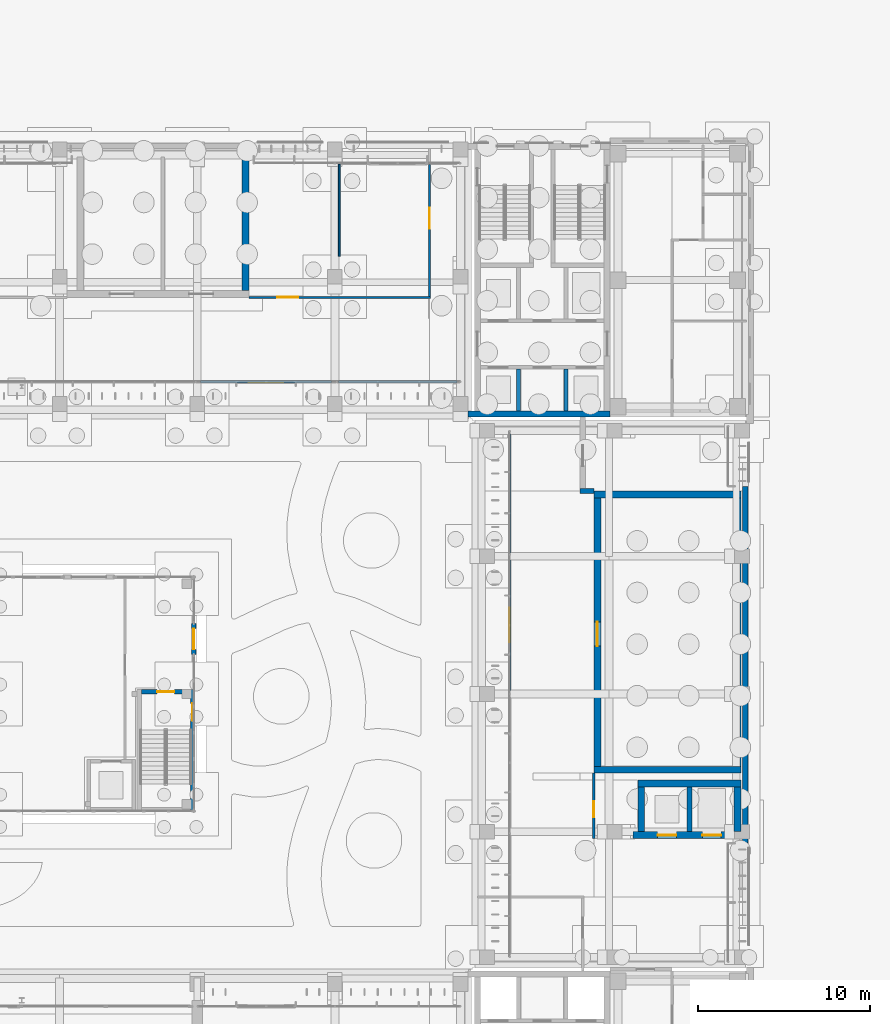
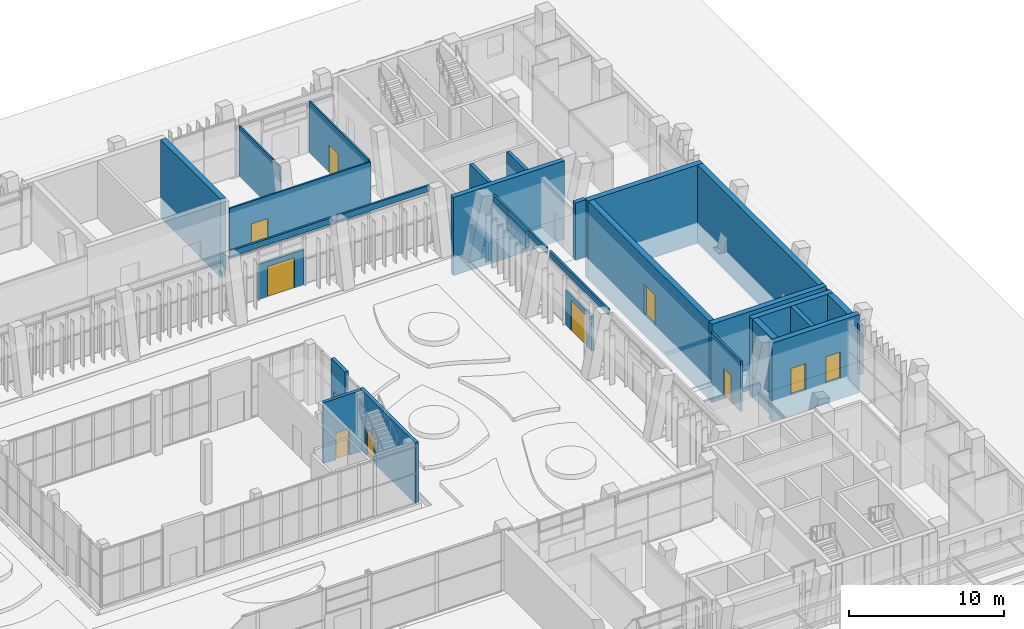
# One storey, part 112 of 144: 30 walls, 11 doors, 11 openings.
"""IFC4 building model written with IfcOpenShell, lengths in metres."""

from ifc_helpers import new_model, si_unit, direction, frame, frame_2d, origin, place, context, subcontext, project, spatial, rectangle, extrude, material, layer, layer_set, type_object, element, fill, save


model = new_model("IFC4")

# Units and contexts
model_context = context("Model", 3, precision=1e-05, world=origin(), true_north=direction((0.0, 1.0)))
body_context = subcontext(model_context, "Body", "Model", "MODEL_VIEW")
ifc_project = project(units=[si_unit("LENGTHUNIT", "METRE"), si_unit("AREAUNIT", "SQUARE_METRE"), si_unit("VOLUMEUNIT", "CUBIC_METRE"), si_unit("PLANEANGLEUNIT", "RADIAN"), si_unit("MASSUNIT", "GRAM", prefix="KILO")], contexts=[model_context])

# Site, building, storey
site_placement = place(None, origin())
site = spatial("IfcSite", under=ifc_project, at=site_placement, CompositionType="ELEMENT")
building_placement = place(site_placement, origin())
building = spatial("IfcBuilding", under=site, at=building_placement, Name="Lantern Court Media Centre", CompositionType="ELEMENT")
storey_placement = place(building_placement, origin())
storey = spatial("IfcBuildingStorey", under=building, at=storey_placement, Name="L00", CompositionType="ELEMENT", Elevation=0.0)

# Wall, opening, door
ifc_material_1 = material(Name="Gypsum board partition")
ifc_layer_1 = layer(ifc_material_1, 0.125)
ifc_layer_set_1 = layer_set([ifc_layer_1], Name="Gypsum board partition")
wall_type_1 = type_object("IfcWallType", Name="Corridor partition 125", PredefinedType="PARTITIONING", material=ifc_layer_set_1)
wall_1_placement = place(storey_placement, frame((77.5, 103.112548828125, 0.0), z_axis=(0.0, 0.0, 1.0), x_axis=(0.0, 1.0, 0.0)))
wall_1 = element("IfcWall", 1, at=wall_1_placement, inside=storey, type_object=wall_type_1, Name="L00 partition 007", PredefinedType="PARTITIONING", context=body_context, shape_type="SweptSolid", body=[
    extrude(rectangle(XDim=7.657470703125, YDim=0.125, at=frame_2d((3.82861328125, 0.0))), origin(), (0.0, 0.0, 1.0), 4.080078125),
])
opening_1_placement = place(wall_1_placement, frame((3.9375, 0.0, 0.0)))
opening_1 = element("IfcOpeningElement", 2, at=opening_1_placement, cuts=wall_1, Name="Opening L00-009", PredefinedType="OPENING", context=body_context, shape_type="SweptSolid", body=[
    extrude(rectangle(XDim=1.199951171875, YDim=2.199951171875, at=frame_2d((0.60009765625, 1.10009765625))), frame((0.0, 0.072509765625, 0.0), z_axis=(0.0, -1.0, 0.0), x_axis=(1.0, 0.0, 0.0)), (0.0, 0.0, 1.0), 0.14501953125),
])
ifc_material_2 = material(Name="Solid-core timber door leaf", Category="wood")
door_type_1 = type_object("IfcDoorType", Name="Single door 1200x2200", OperationType="NOTDEFINED", PredefinedType="DOOR", material=ifc_material_2)
door_1_placement = place(opening_1_placement, origin())
door_1 = element("IfcDoor", 3, at=door_1_placement, inside=storey, type_object=door_type_1, Name="L00 Media Training Room 02 door", OperationType="SINGLE_SWING_RIGHT", OverallHeight=2.199951171875, OverallWidth=1.199951171875, PredefinedType="DOOR", context=body_context, shape_type="SweptSolid", body=[
    extrude(rectangle(XDim=1.199951171875, YDim=2.199951171875, at=frame_2d((0.60009765625, 1.10009765625))), frame((0.0, 0.02490234375, 0.0), z_axis=(0.0, -1.0, 0.0), x_axis=(1.0, 0.0, 0.0)), (0.0, 0.0, 1.0), 0.050048828125),
])
fill(opening_1, door_1)

wall_2_placement = place(storey_placement, frame((67.0048828125, 103.050048828125, 0.0), z_axis=(0.0, 0.0, 1.0), x_axis=(1.0, 0.0, 0.0)))
wall_2 = element("IfcWall", 4, at=wall_2_placement, inside=storey, type_object=wall_type_1, Name="L00 partition 011", PredefinedType="PARTITIONING", context=body_context, shape_type="SweptSolid", body=[
    extrude(rectangle(XDim=10.5576171875, YDim=0.125, at=frame_2d((5.27880859375, 0.0))), origin(), (0.0, 0.0, 1.0), 3.97998046875),
])
opening_2_placement = place(wall_2_placement, frame((1.651611328125, 0.0, 0.0)))
opening_2 = element("IfcOpeningElement", 5, at=opening_2_placement, cuts=wall_2, Name="Opening L00-008", PredefinedType="OPENING", context=body_context, shape_type="SweptSolid", body=[
    extrude(rectangle(XDim=1.199951171875, YDim=2.199951171875, at=frame_2d((0.60009765625, 1.10009765625))), frame((0.0, 0.072509765625, 0.0), z_axis=(0.0, -1.0, 0.0), x_axis=(1.0, 0.0, 0.0)), (0.0, 0.0, 1.0), 0.14501953125),
])
door_2_placement = place(opening_2_placement, origin())
door_2 = element("IfcDoor", 6, at=door_2_placement, inside=storey, type_object=door_type_1, Name="L00 Media Training Room 01 door", OperationType="SINGLE_SWING_LEFT", OverallHeight=2.199951171875, OverallWidth=1.199951171875, PredefinedType="DOOR", context=body_context, shape_type="SweptSolid", body=[
    extrude(rectangle(XDim=1.199951171875, YDim=2.199951171875, at=frame_2d((0.60009765625, 1.10009765625))), frame((0.0, 0.02490234375, 0.0), z_axis=(0.0, -1.0, 0.0), x_axis=(1.0, 0.0, 0.0)), (0.0, 0.0, 1.0), 0.050048828125),
])
fill(opening_2, door_2)

ifc_material_3 = material(Name="Insulated rendered blockwork", Category="masonry")
ifc_layer_2 = layer(ifc_material_3, 0.179931640625)
ifc_layer_set_2 = layer_set([ifc_layer_2], Name="Insulated rendered blockwork")
wall_type_2 = type_object("IfcWallType", Name="Entrance bay infill wall 180", PredefinedType="SOLIDWALL", material=ifc_layer_set_2)
wall_3_placement = place(storey_placement, frame((66.300048828125, 98.14990234375, 0.0), z_axis=(0.0, 0.0, 1.0), x_axis=(1.0, 0.0, 0.0)))
wall_3 = element("IfcWall", 7, at=wall_3_placement, inside=storey, type_object=wall_type_2, Name="Entrance bay wall N inner L00", PredefinedType="SOLIDWALL", context=body_context, shape_type="SweptSolid", body=[
    extrude(rectangle(XDim=3.39990234375, YDim=0.179931640625, at=frame_2d((1.699951171875, 0.0))), origin(), (0.0, 0.0, 1.0), 2.800048828125),
])
opening_3_placement = place(wall_3_placement, frame((0.699951171875, 0.0, 0.0)))
opening_3 = element("IfcOpeningElement", 8, at=opening_3_placement, cuts=wall_3, Name="Opening XD12", PredefinedType="OPENING", context=body_context, shape_type="SweptSolid", body=[
    extrude(rectangle(XDim=2.0, YDim=2.39990234375, at=frame_2d((1.0, 1.199951171875))), frame((0.0, 0.099853515625, 0.0), z_axis=(0.0, -1.0, 0.0), x_axis=(1.0, 0.0, 0.0)), (0.0, 0.0, 1.0), 0.199951171875),
])
ifc_material_4 = material(Name="Anodised aluminium and glass", Category="aluminium")
door_type_2 = type_object("IfcDoorType", Name="Entrance double door 2000x2400", OperationType="DOUBLE_DOOR_SINGLE_SWING", PredefinedType="DOOR", material=ifc_material_4)
door_3_placement = place(opening_3_placement, origin())
door_3 = element("IfcDoor", 9, at=door_3_placement, inside=storey, type_object=door_type_2, Name="Entrance door XD12", OperationType="SINGLE_SWING_LEFT", OverallHeight=2.39990234375, OverallWidth=2.0, PredefinedType="DOOR", context=body_context, shape_type="SweptSolid", body=[
    extrude(rectangle(XDim=2.0, YDim=2.39990234375, at=frame_2d((1.0, 1.199951171875))), frame((0.0, 0.02490234375, 0.0), z_axis=(0.0, -1.0, 0.0), x_axis=(1.0, 0.0, 0.0)), (0.0, 0.0, 1.0), 0.050048828125),
])
fill(opening_3, door_3)

wall_4_placement = place(storey_placement, frame((82.14990234375, 82.300048828125, 0.0), z_axis=(0.0, 0.0, 1.0), x_axis=(0.0, 1.0, 0.0)))
wall_4 = element("IfcWall", 10, at=wall_4_placement, inside=storey, type_object=wall_type_2, Name="Entrance bay wall E inner L00", PredefinedType="SOLIDWALL", context=body_context, shape_type="SweptSolid", body=[
    extrude(rectangle(XDim=3.39990234375, YDim=0.179931640625, at=frame_2d((1.699951171875, 0.0))), origin(), (0.0, 0.0, 1.0), 2.800048828125),
])
opening_4_placement = place(wall_4_placement, frame((0.699951171875, 0.0, 0.0)))
opening_4 = element("IfcOpeningElement", 11, at=opening_4_placement, cuts=wall_4, Name="Opening XD16", PredefinedType="OPENING", context=body_context, shape_type="SweptSolid", body=[
    extrude(rectangle(XDim=2.0, YDim=2.39990234375, at=frame_2d((1.0, 1.199951171875))), frame((0.0, 0.099853515625, 0.0), z_axis=(0.0, -1.0, 0.0), x_axis=(1.0, 0.0, 0.0)), (0.0, 0.0, 1.0), 0.199951171875),
])
door_4_placement = place(opening_4_placement, origin())
door_4 = element("IfcDoor", 12, at=door_4_placement, inside=storey, type_object=door_type_2, Name="Entrance door XD16", OperationType="SINGLE_SWING_LEFT", OverallHeight=2.39990234375, OverallWidth=2.0, PredefinedType="DOOR", context=body_context, shape_type="SweptSolid", body=[
    extrude(rectangle(XDim=2.0, YDim=2.39990234375, at=frame_2d((1.0, 1.199951171875))), frame((0.0, 0.02490234375, 0.0), z_axis=(0.0, -1.0, 0.0), x_axis=(1.0, 0.0, 0.0)), (0.0, 0.0, 1.0), 0.050048828125),
])
fill(opening_4, door_4)

# Walls
ifc_layer_3 = layer(ifc_material_3, 0.14990234375)
ifc_layer_set_3 = layer_set([ifc_layer_3], Name="Insulated rendered blockwork")
wall_type_3 = type_object("IfcWallType", Name="Head infill wall 150", PredefinedType="SOLIDWALL", material=ifc_layer_set_3)
wall_5_placement = place(storey_placement, frame((64.199951171875, 98.14990234375, 4.10009765625), z_axis=(0.0, 0.0, 1.0), x_axis=(1.0, 0.0, 0.0)))
element("IfcWall", 13, at=wall_5_placement, inside=storey, type_object=wall_type_3, Name="Head infill wall N inner L00", PredefinedType="SOLIDWALL", context=body_context, shape_type="SweptSolid", body=[
    extrude(rectangle(XDim=7.60009765625, YDim=0.14990234375, at=frame_2d((3.800048828125, 0.0))), origin(), (0.0, 0.0, 1.0), 0.47998046875),
])
wall_6_placement = place(storey_placement, frame((72.199951171875, 98.14990234375, 4.10009765625), z_axis=(0.0, 0.0, 1.0), x_axis=(1.0, 0.0, 0.0)))
element("IfcWall", 14, at=wall_6_placement, inside=storey, type_object=wall_type_3, Name="Head infill wall N inner L00", PredefinedType="SOLIDWALL", context=body_context, shape_type="SweptSolid", body=[
    extrude(rectangle(XDim=6.900146484375, YDim=0.14990234375, at=frame_2d((3.4501953125, 0.0))), origin(), (0.0, 0.0, 1.0), 0.47998046875),
])
wall_7_placement = place(storey_placement, frame((82.14990234375, 80.199951171875, 4.10009765625), z_axis=(0.0, 0.0, 1.0), x_axis=(0.0, 1.0, 0.0)))
element("IfcWall", 15, at=wall_7_placement, inside=storey, type_object=wall_type_3, Name="Head infill wall E inner L00", PredefinedType="SOLIDWALL", context=body_context, shape_type="SweptSolid", body=[
    extrude(rectangle(XDim=7.60009765625, YDim=0.14990234375, at=frame_2d((3.800048828125, 0.0))), origin(), (0.0, 0.0, 1.0), 0.47998046875),
])
wall_8_placement = place(storey_placement, frame((82.14990234375, 88.199951171875, 4.10009765625), z_axis=(0.0, 0.0, 1.0), x_axis=(0.0, 1.0, 0.0)))
element("IfcWall", 16, at=wall_8_placement, inside=storey, type_object=wall_type_3, Name="Head infill wall E inner L00", PredefinedType="SOLIDWALL", context=body_context, shape_type="SweptSolid", body=[
    extrude(rectangle(XDim=6.900146484375, YDim=0.14990234375, at=frame_2d((3.4501953125, 0.0))), origin(), (0.0, 0.0, 1.0), 0.47998046875),
])
ifc_material_5 = material(Name="Honed limestone cladding on blockwork", Category="masonry")
ifc_layer_4 = layer(ifc_material_5, 0.300048828125)
ifc_layer_set_4 = layer_set([ifc_layer_4], Name="Honed limestone cladding on blockwork")
wall_type_4 = type_object("IfcWallType", Name="Limestone flank wall 300", PredefinedType="SOLIDWALL", material=ifc_layer_set_4)
wall_9_placement = place(storey_placement, frame((95.85009765625, 71.35009765625, 0.0), z_axis=(0.0, 0.0, 1.0), x_axis=(0.0, 1.0, 0.0)))
element("IfcWall", 17, at=wall_9_placement, inside=storey, type_object=wall_type_4, Name="Limestone flank wall E outer L00", PredefinedType="SOLIDWALL", context=body_context, shape_type="SweptSolid", body=[
    extrude(rectangle(XDim=20.699951171875, YDim=0.300048828125, at=frame_2d((10.35009765625, 0.0))), origin(), (0.0, 0.0, 1.0), 3.89990234375),
])
ifc_layer_5 = layer(ifc_material_1, 0.10009765625)
ifc_layer_set_5 = layer_set([ifc_layer_5], Name="Gypsum board partition")
wall_type_5 = type_object("IfcWallType", Name="Partition 100", PredefinedType="PARTITIONING", material=ifc_layer_set_5)
wall_10_placement = place(storey_placement, frame((72.25, 105.429931640625, 0.0), z_axis=(0.0, 0.0, 1.0), x_axis=(0.0, 1.0, 0.0)))
element("IfcWall", 18, at=wall_10_placement, inside=storey, type_object=wall_type_5, Name="L00 partition 012", PredefinedType="PARTITIONING", context=body_context, shape_type="SweptSolid", body=[
    extrude(rectangle(XDim=5.344970703125, YDim=0.10009765625, at=frame_2d((2.67236328125, 0.0))), origin(), (0.0, 0.0, 1.0), 3.97998046875),
])

# Wall, opening, door
ifc_material_6 = material(Name="Concrete blockwork C20", Category="masonry")
ifc_layer_6 = layer(ifc_material_6, 0.14990234375)
ifc_layer_set_6 = layer_set([ifc_layer_6], Name="Concrete blockwork C20")
wall_type_6 = type_object("IfcWallType", Name="Partition 150 masonry", PredefinedType="PARTITIONING", material=ifc_layer_set_6)
wall_11_placement = place(storey_placement, frame((87.050048828125, 71.60009765625, 0.0), z_axis=(0.0, 0.0, 1.0), x_axis=(0.0, 1.0, 0.0)))
wall_11 = element("IfcWall", 19, at=wall_11_placement, inside=storey, type_object=wall_type_6, Name="L00 partition 026", PredefinedType="PARTITIONING", context=body_context, shape_type="SweptSolid", body=[
    extrude(rectangle(XDim=3.7998046875, YDim=0.14990234375, at=frame_2d((1.89990234375, 0.0))), origin(), (0.0, 0.0, 1.0), 3.97998046875),
])
opening_5_placement = place(wall_11_placement, frame((1.22509765625, 0.0, 0.0)))
opening_5 = element("IfcOpeningElement", 20, at=opening_5_placement, cuts=wall_11, Name="Opening L00-017", PredefinedType="OPENING", context=body_context, shape_type="SweptSolid", body=[
    extrude(rectangle(XDim=0.949951171875, YDim=2.10009765625, at=frame_2d((0.47509765625, 1.050048828125))), frame((0.0, 0.0849609375, 0.0), z_axis=(0.0, -1.0, 0.0), x_axis=(1.0, 0.0, 0.0)), (0.0, 0.0, 1.0), 0.169921875),
])
door_type_3 = type_object("IfcDoorType", Name="Accessible WC door 950x2100", OperationType="NOTDEFINED", PredefinedType="DOOR", material=ifc_material_2)
door_5_placement = place(opening_5_placement, frame((0.949951171875, 0.0, 0.0), z_axis=(0.0, 0.0, 1.0), x_axis=(-1.0, 0.0, 0.0)))
door_5 = element("IfcDoor", 21, at=door_5_placement, inside=storey, type_object=door_type_3, Name="L00 Accessible WC door", OperationType="SINGLE_SWING_RIGHT", OverallHeight=2.10009765625, OverallWidth=0.949951171875, PredefinedType="DOOR", context=body_context, shape_type="SweptSolid", body=[
    extrude(rectangle(XDim=0.949951171875, YDim=2.10009765625, at=frame_2d((0.47509765625, 1.050048828125))), frame((0.0, 0.02490234375, 0.0), z_axis=(0.0, -1.0, 0.0), x_axis=(1.0, 0.0, 0.0)), (0.0, 0.0, 1.0), 0.050048828125),
])
fill(opening_5, door_5)

ifc_material_7 = material(Name="Limestone masonry, insulated", Category="masonry")
ifc_layer_7 = layer(ifc_material_7, 0.25)
ifc_layer_set_7 = layer_set([ifc_layer_7], Name="Limestone masonry, insulated")
wall_type_7 = type_object("IfcWallType", Name="Press box portal wall 250", PredefinedType="SOLIDWALL", material=ifc_layer_set_7)
wall_12_placement = place(storey_placement, frame((63.800048828125, 82.300048828125, 0.0), z_axis=(0.0, 0.0, 1.0), x_axis=(0.0, 1.0, 0.0)))
wall_12 = element("IfcWall", 22, at=wall_12_placement, inside=storey, type_object=wall_type_7, Name="Press box entrance wall E", PredefinedType="SOLIDWALL", context=body_context, shape_type="SweptSolid", body=[
    extrude(rectangle(XDim=1.800048828125, YDim=0.25, at=frame_2d((0.89990234375, 0.0))), origin(), (0.0, 0.0, 1.0), 4.800048828125),
])
opening_6_placement = place(wall_12_placement, frame((0.300048828125, 0.0, 0.0)))
opening_6 = element("IfcOpeningElement", 23, at=opening_6_placement, cuts=wall_12, Name="Opening D-PB04", PredefinedType="OPENING", context=body_context, shape_type="SweptSolid", body=[
    extrude(rectangle(XDim=1.199951171875, YDim=2.39990234375, at=frame_2d((0.60009765625, 1.199951171875))), frame((0.0, 0.135009765625, 0.0), z_axis=(0.0, -1.0, 0.0), x_axis=(1.0, 0.0, 0.0)), (0.0, 0.0, 1.0), 0.27001953125),
])
ifc_material_8 = material(Name="Aluminium and laminated glass", Category="aluminium")
door_type_4 = type_object("IfcDoorType", Name="Press box exit door, single leaf", OperationType="SINGLE_SWING_LEFT", PredefinedType="DOOR", material=ifc_material_8)
door_6_placement = place(opening_6_placement, origin())
door_6 = element("IfcDoor", 24, at=door_6_placement, inside=storey, type_object=door_type_4, Name="Press box door 4", OperationType="SINGLE_SWING_LEFT", OverallHeight=2.39990234375, OverallWidth=1.199951171875, PredefinedType="DOOR", context=body_context, shape_type="SweptSolid", body=[
    extrude(rectangle(XDim=1.199951171875, YDim=2.39990234375, at=frame_2d((0.60009765625, 1.199951171875))), frame((0.0, 0.02490234375, 0.0), z_axis=(0.0, -1.0, 0.0), x_axis=(1.0, 0.0, 0.0)), (0.0, 0.0, 1.0), 0.050048828125),
])
fill(opening_6, door_6)

# Walls
ifc_material_9 = material(Name="Concrete C40", Category="concrete")
ifc_layer_8 = layer(ifc_material_9, 0.35009765625)
ifc_layer_set_8 = layer_set([ifc_layer_8], Name="Concrete C40")
wall_type_8 = type_object("IfcWallType", Name="RC CORE WALL 350", PredefinedType="SHEAR", material=ifc_layer_set_8)
wall_13_placement = place(storey_placement, frame((79.72509765625, 96.27490234375, -1.60009765625), z_axis=(0.0, 0.0, 1.0), x_axis=(1.0, 0.0, 0.0)))
element("IfcWall", 25, at=wall_13_placement, inside=storey, type_object=wall_type_8, Name="WC-NE-L00-S", PredefinedType="SHEAR", context=body_context, shape_type="SweptSolid", body=[
    extrude(rectangle(XDim=8.27490234375, YDim=0.35009765625, at=frame_2d((4.137451171875, 0.0))), origin(), (0.0, 0.0, 1.0), 6.18017578125),
])
ifc_layer_9 = layer(ifc_material_9, 0.300048828125)
ifc_layer_set_9 = layer_set([ifc_layer_9], Name="Concrete C40")
wall_type_9 = type_object("IfcWallType", Name="RC SHEAR WALL 300", PredefinedType="SHEAR", material=ifc_layer_set_9)
wall_14_placement = place(storey_placement, frame((92.60009765625, 72.0, -1.60009765625), z_axis=(0.0, 0.0, 1.0), x_axis=(0.0, 1.0, 0.0)))
element("IfcWall", 26, at=wall_14_placement, inside=storey, type_object=wall_type_9, Name="WB-E-LC-L00-D", PredefinedType="SHEAR", context=body_context, shape_type="SweptSolid", body=[
    extrude(rectangle(XDim=2.60009765625, YDim=0.300048828125, at=frame_2d((1.300048828125, 0.0))), origin(), (0.0, 0.0, 1.0), 6.18017578125),
])

# Wall, openings, doors
ifc_layer_10 = layer(ifc_material_9, 0.39990234375)
ifc_layer_set_10 = layer_set([ifc_layer_10], Name="Concrete C40")
wall_type_10 = type_object("IfcWallType", Name="RC SHEAR WALL 400", PredefinedType="SHEAR", material=ifc_layer_set_10)
wall_15_placement = place(storey_placement, frame((89.316650390625, 71.800048828125, -1.60009765625), z_axis=(0.0, 0.0, 1.0), x_axis=(1.0, 0.0, 0.0)))
wall_15 = element("IfcWall", 27, at=wall_15_placement, inside=storey, type_object=wall_type_10, Name="WB-E-LC-L00-S", PredefinedType="SHEAR", context=body_context, shape_type="SweptSolid", body=[
    extrude(rectangle(XDim=6.550048828125, YDim=0.39990234375, at=frame_2d((3.27490234375, 0.0))), origin(), (0.0, 0.0, 1.0), 6.18017578125),
])
opening_7_placement = place(wall_15_placement, frame((1.433349609375, 0.0, 1.60009765625)))
opening_7 = element("IfcOpeningElement", 28, at=opening_7_placement, cuts=wall_15, Name="Opening LD-E-LCP-L00", PredefinedType="OPENING", context=body_context, shape_type="SweptSolid", body=[
    extrude(rectangle(XDim=1.10009765625, YDim=2.10009765625, at=frame_2d((0.550048828125, 1.050048828125))), frame((0.0, 0.2099609375, 0.0), z_axis=(0.0, -1.0, 0.0), x_axis=(1.0, 0.0, 0.0)), (0.0, 0.0, 1.0), 0.419921875),
])
opening_8_placement = place(wall_15_placement, frame((4.033447265625, 0.0, 1.60009765625)))
opening_8 = element("IfcOpeningElement", 29, at=opening_8_placement, cuts=wall_15, Name="Opening LD-E-LCS-L00", PredefinedType="OPENING", context=body_context, shape_type="SweptSolid", body=[
    extrude(rectangle(XDim=1.10009765625, YDim=2.10009765625, at=frame_2d((0.550048828125, 1.050048828125))), frame((0.0, 0.2099609375, 0.0), z_axis=(0.0, -1.0, 0.0), x_axis=(1.0, 0.0, 0.0)), (0.0, 0.0, 1.0), 0.419921875),
])
ifc_material_10 = material(Name="Steel door leaf", Category="steel")
door_type_5 = type_object("IfcDoorType", Name="Lift landing door 1100x2100", OperationType="DOUBLE_DOOR_SLIDING", PredefinedType="DOOR", material=ifc_material_10)
door_7_placement = place(opening_7_placement, frame((1.10009765625, 0.0, 0.0), z_axis=(0.0, 0.0, 1.0), x_axis=(-1.0, 0.0, 0.0)))
door_7 = element("IfcDoor", 30, at=door_7_placement, inside=storey, type_object=door_type_5, Name="L00 E-LC passenger lift landing door", OperationType="DOUBLE_DOOR_SLIDING", OverallHeight=2.10009765625, OverallWidth=1.10009765625, PredefinedType="DOOR", context=body_context, shape_type="SweptSolid", body=[
    extrude(rectangle(XDim=1.10009765625, YDim=2.10009765625, at=frame_2d((0.550048828125, 1.050048828125))), frame((0.0, 0.02490234375, 0.0), z_axis=(0.0, -1.0, 0.0), x_axis=(1.0, 0.0, 0.0)), (0.0, 0.0, 1.0), 0.050048828125),
])
fill(opening_7, door_7)
door_8_placement = place(opening_8_placement, frame((1.10009765625, 0.0, 0.0), z_axis=(0.0, 0.0, 1.0), x_axis=(-1.0, 0.0, 0.0)))
door_8 = element("IfcDoor", 31, at=door_8_placement, inside=storey, type_object=door_type_5, Name="L00 E-LC service lift landing door", OperationType="DOUBLE_DOOR_SLIDING", OverallHeight=2.10009765625, OverallWidth=1.10009765625, PredefinedType="DOOR", context=body_context, shape_type="SweptSolid", body=[
    extrude(rectangle(XDim=1.10009765625, YDim=2.10009765625, at=frame_2d((0.550048828125, 1.050048828125))), frame((0.0, 0.02490234375, 0.0), z_axis=(0.0, -1.0, 0.0), x_axis=(1.0, 0.0, 0.0)), (0.0, 0.0, 1.0), 0.050048828125),
])
fill(opening_8, door_8)

# Walls
wall_16_placement = place(storey_placement, frame((89.60009765625, 74.800048828125, -1.60009765625), z_axis=(0.0, 0.0, 1.0), x_axis=(1.0, 0.0, 0.0)))
element("IfcWall", 32, at=wall_16_placement, inside=storey, type_object=wall_type_10, Name="WB-E-LC-L00-N", PredefinedType="SHEAR", context=body_context, shape_type="SweptSolid", body=[
    extrude(rectangle(XDim=6.0, YDim=0.39990234375, at=frame_2d((3.0, 0.0))), origin(), (0.0, 0.0, 1.0), 6.18017578125),
])
for number, where, z_axis, x_axis, name in (
    (33, (89.800048828125, 72.0, -1.60009765625), (0.0, 0.0, 1.0), (0.0, 1.0, 0.0), "WB-E-LC-L00-W"),
    (34, (95.39990234375, 72.0, -1.60009765625), (0.0, 0.0, 1.0), (0.0, 1.0, 0.0), "WB-E-LC-L00-E"),
):
    element("IfcWall", number, at=place(storey_placement, frame(where, z_axis=z_axis, x_axis=x_axis)), inside=storey, type_object=wall_type_10, Name=name, PredefinedType="SHEAR", context=body_context, shape_type="SweptSolid", body=[
        extrude(rectangle(XDim=2.60009765625, YDim=0.39990234375, at=frame_2d((1.300048828125, 0.0))), origin(), (0.0, 0.0, 1.0), 6.18017578125),
    ])
for number, where, z_axis, x_axis, name in (
    (35, (87.050048828125, 75.60009765625, -1.60009765625), (0.0, 0.0, 1.0), (1.0, 0.0, 0.0), "WB-E-STC-L00-S"),
    (36, (87.050048828125, 91.60009765625, -1.60009765625), (0.0, 0.0, 1.0), (1.0, 0.0, 0.0), "WB-E-STC-L00-N"),
):
    element("IfcWall", number, at=place(storey_placement, frame(where, z_axis=z_axis, x_axis=x_axis)), inside=storey, type_object=wall_type_10, Name=name, PredefinedType="SHEAR", context=body_context, shape_type="SweptSolid", body=[
        extrude(rectangle(XDim=8.550048828125, YDim=0.39990234375, at=frame_2d((4.27490234375, 0.0))), origin(), (0.0, 0.0, 1.0), 6.18017578125),
    ])

# Wall, opening, door
wall_17_placement = place(storey_placement, frame((87.25, 75.800048828125, -1.60009765625), z_axis=(0.0, 0.0, 1.0), x_axis=(0.0, 1.0, 0.0)))
wall_17 = element("IfcWall", 37, at=wall_17_placement, inside=storey, type_object=wall_type_10, Name="WB-E-STC-L00-W", PredefinedType="SHEAR", context=body_context, shape_type="SweptSolid", body=[
    extrude(rectangle(XDim=15.599853515625, YDim=0.39990234375, at=frame_2d((7.7998046875, 0.0))), origin(), (0.0, 0.0, 1.0), 6.18017578125),
])
opening_9_placement = place(wall_17_placement, frame((6.9873046875, 0.0, 1.60009765625)))
opening_9 = element("IfcOpeningElement", 38, at=opening_9_placement, cuts=wall_17, Name="Opening L00-018", PredefinedType="OPENING", context=body_context, shape_type="SweptSolid", body=[
    extrude(rectangle(XDim=1.39990234375, YDim=2.39990234375, at=frame_2d((0.699951171875, 1.199951171875))), frame((0.0, 0.2099609375, 0.0), z_axis=(0.0, -1.0, 0.0), x_axis=(1.0, 0.0, 0.0)), (0.0, 0.0, 1.0), 0.419921875),
])
ifc_material_11 = material(Name="Acoustic timber door leaf", Category="wood")
door_type_6 = type_object("IfcDoorType", Name="Studio sound-lock door pair 1400x2400", OperationType="NOTDEFINED", PredefinedType="DOOR", material=ifc_material_11)
door_9_placement = place(opening_9_placement, origin())
door_9 = element("IfcDoor", 39, at=door_9_placement, inside=storey, type_object=door_type_6, Name="L00 Broadcast Studio C door", OperationType="DOUBLE_DOOR_SINGLE_SWING", OverallHeight=2.39990234375, OverallWidth=1.39990234375, PredefinedType="DOOR", context=body_context, shape_type="SweptSolid", body=[
    extrude(rectangle(XDim=1.39990234375, YDim=2.39990234375, at=frame_2d((0.699951171875, 1.199951171875))), frame((0.0, 0.02490234375, 0.0), z_axis=(0.0, -1.0, 0.0), x_axis=(1.0, 0.0, 0.0)), (0.0, 0.0, 1.0), 0.050048828125),
])
fill(opening_9, door_9)

# Walls
wall_18_placement = place(storey_placement, frame((95.39990234375, 75.800048828125, -1.60009765625), z_axis=(0.0, 0.0, 1.0), x_axis=(0.0, 1.0, 0.0)))
element("IfcWall", 40, at=wall_18_placement, inside=storey, type_object=wall_type_10, Name="WB-E-STC-L00-E", PredefinedType="SHEAR", context=body_context, shape_type="SweptSolid", body=[
    extrude(rectangle(XDim=15.599853515625, YDim=0.39990234375, at=frame_2d((7.7998046875, 0.0))), origin(), (0.0, 0.0, 1.0), 6.18017578125),
])
wall_19_placement = place(storey_placement, frame((66.800048828125, 103.449951171875, -1.60009765625), z_axis=(0.0, 0.0, 1.0), x_axis=(0.0, 1.0, 0.0)))
element("IfcWall", 41, at=wall_19_placement, inside=storey, type_object=wall_type_10, Name="WB-N-SRV-L00-E", PredefinedType="SHEAR", context=body_context, shape_type="SweptSolid", body=[
    extrude(rectangle(XDim=7.75, YDim=0.39990234375, at=frame_2d((3.875, 0.0))), origin(), (0.0, 0.0, 1.0), 6.18017578125),
])
ifc_layer_11 = layer(ifc_material_9, 0.25)
ifc_layer_set_11 = layer_set([ifc_layer_11], Name="Concrete C40")
wall_type_11 = type_object("IfcWallType", Name="RC lift shaft wall 250", PredefinedType="SOLIDWALL", material=ifc_layer_set_11)
wall_20_placement = place(storey_placement, frame((85.425048828125, 98.89990234375, 0.0), z_axis=(0.0, 0.0, 1.0), x_axis=(0.0, -1.0, 0.0)))
element("IfcWall", 42, at=wall_20_placement, inside=storey, type_object=wall_type_11, Name="L00 NE L1b", PredefinedType="SOLIDWALL", context=body_context, shape_type="SweptSolid", body=[
    extrude(rectangle(XDim=2.449951171875, YDim=0.25, at=frame_2d((1.22509765625, 0.0))), origin(), (0.0, 0.0, 1.0), 4.550048828125),
])
wall_21_placement = place(storey_placement, frame((85.425048828125, 98.89990234375, -1.60009765625), z_axis=(0.0, 0.0, 1.0), x_axis=(0.0, -1.0, 0.0)))
element("IfcWall", 43, at=wall_21_placement, inside=storey, type_object=wall_type_11, Name="L00 NE L1b foundation wall", PredefinedType="SOLIDWALL", context=body_context, shape_type="SweptSolid", body=[
    extrude(rectangle(XDim=2.449951171875, YDim=0.25, at=frame_2d((1.22509765625, 0.0))), origin(), (0.0, 0.0, 1.0), 1.35009765625),
])
wall_22_placement = place(storey_placement, frame((82.675048828125, 98.89990234375, 0.0), z_axis=(0.0, 0.0, 1.0), x_axis=(0.0, -1.0, 0.0)))
element("IfcWall", 44, at=wall_22_placement, inside=storey, type_object=wall_type_11, Name="L00 NE L2b", PredefinedType="SOLIDWALL", context=body_context, shape_type="SweptSolid", body=[
    extrude(rectangle(XDim=2.449951171875, YDim=0.25, at=frame_2d((1.22509765625, 0.0))), origin(), (0.0, 0.0, 1.0), 4.550048828125),
])
wall_23_placement = place(storey_placement, frame((82.675048828125, 98.89990234375, -1.60009765625), z_axis=(0.0, 0.0, 1.0), x_axis=(0.0, -1.0, 0.0)))
element("IfcWall", 45, at=wall_23_placement, inside=storey, type_object=wall_type_11, Name="L00 NE L2b foundation wall", PredefinedType="SOLIDWALL", context=body_context, shape_type="SweptSolid", body=[
    extrude(rectangle(XDim=2.449951171875, YDim=0.25, at=frame_2d((1.22509765625, 0.0))), origin(), (0.0, 0.0, 1.0), 1.35009765625),
])

# Wall, opening, door
ifc_layer_12 = layer(ifc_material_9, 0.25)
ifc_layer_set_12 = layer_set([ifc_layer_12], Name="Concrete C40")
wall_type_12 = type_object("IfcWallType", Name="RC stair shaft wall 250", PredefinedType="SOLIDWALL", material=ifc_layer_set_12)
wall_24_placement = place(storey_placement, frame((63.72509765625, 73.14990234375, 0.0), z_axis=(0.0, 0.0, 1.0), x_axis=(0.0, 1.0, 0.0)))
wall_24 = element("IfcWall", 46, at=wall_24_placement, inside=storey, type_object=wall_type_12, Name="L00 PRESS-ST shaft wall E", PredefinedType="SOLIDWALL", context=body_context, shape_type="SweptSolid", body=[
    extrude(rectangle(XDim=7.10009765625, YDim=0.25, at=frame_2d((3.550048828125, 0.0))), origin(), (0.0, 0.0, 1.0), 4.800048828125),
])
opening_10_placement = place(wall_24_placement, frame((5.300048828125, 0.0, 0.0)))
opening_10 = element("IfcOpeningElement", 47, at=opening_10_placement, cuts=wall_24, Name="Opening PRESS-ST-L00-02E", PredefinedType="OPENING", context=body_context, shape_type="SweptSolid", body=[
    extrude(rectangle(XDim=1.0, YDim=2.10009765625, at=frame_2d((0.5, 1.050048828125))), frame((0.0, 0.135009765625, 0.0), z_axis=(0.0, -1.0, 0.0), x_axis=(1.0, 0.0, 0.0)), (0.0, 0.0, 1.0), 0.27001953125),
])
door_type_7 = type_object("IfcDoorType", Name="Stair exit door 1000x2100", OperationType="NOTDEFINED", PredefinedType="DOOR", material=ifc_material_10)
door_10_placement = place(opening_10_placement, frame((1.0, 0.0, 0.0), z_axis=(0.0, 0.0, 1.0), x_axis=(-1.0, 0.0, 0.0)))
door_10 = element("IfcDoor", 48, at=door_10_placement, inside=storey, type_object=door_type_7, Name="L00 PRESS-ST stair exit door", OperationType="SINGLE_SWING_RIGHT", OverallHeight=2.10009765625, OverallWidth=1.0, PredefinedType="DOOR", context=body_context, shape_type="SweptSolid", body=[
    extrude(rectangle(XDim=1.0, YDim=2.10009765625, at=frame_2d((0.5, 1.050048828125))), frame((0.0, 0.02490234375, 0.0), z_axis=(0.0, -1.0, 0.0), x_axis=(1.0, 0.0, 0.0)), (0.0, 0.0, 1.0), 0.050048828125),
])
fill(opening_10, door_10)

wall_25_placement = place(storey_placement, frame((60.75, 80.125, 0.0), z_axis=(0.0, 0.0, 1.0), x_axis=(1.0, 0.0, 0.0)))
wall_25 = element("IfcWall", 49, at=wall_25_placement, inside=storey, type_object=wall_type_12, Name="L00 PRESS-ST shaft wall N", PredefinedType="SOLIDWALL", context=body_context, shape_type="SweptSolid", body=[
    extrude(rectangle(XDim=2.85009765625, YDim=0.25, at=frame_2d((1.425048828125, 0.0))), origin(), (0.0, 0.0, 1.0), 4.800048828125),
])
opening_11_placement = place(wall_25_placement, frame((0.925048828125, 0.0, 0.0)))
opening_11 = element("IfcOpeningElement", 50, at=opening_11_placement, cuts=wall_25, Name="Opening PRESS-ST-L00-01", PredefinedType="OPENING", context=body_context, shape_type="SweptSolid", body=[
    extrude(rectangle(XDim=1.0, YDim=2.10009765625, at=frame_2d((0.5, 1.050048828125))), frame((0.0, 0.135009765625, 0.0), z_axis=(0.0, -1.0, 0.0), x_axis=(1.0, 0.0, 0.0)), (0.0, 0.0, 1.0), 0.27001953125),
])
door_type_8 = type_object("IfcDoorType", Name="Stair door 1000x2100", OperationType="NOTDEFINED", PredefinedType="DOOR", material=ifc_material_10)
door_11_placement = place(opening_11_placement, origin())
door_11 = element("IfcDoor", 51, at=door_11_placement, inside=storey, type_object=door_type_8, Name="L00 PRESS-ST stair door", OperationType="SINGLE_SWING_LEFT", OverallHeight=2.10009765625, OverallWidth=1.0, PredefinedType="DOOR", context=body_context, shape_type="SweptSolid", body=[
    extrude(rectangle(XDim=1.0, YDim=2.10009765625, at=frame_2d((0.5, 1.050048828125))), frame((0.0, 0.02490234375, 0.0), z_axis=(0.0, -1.0, 0.0), x_axis=(1.0, 0.0, 0.0)), (0.0, 0.0, 1.0), 0.050048828125),
])
fill(opening_11, door_11)

# Wall
ifc_material_12 = material(Name="Acoustic gypsum board")
ifc_layer_13 = layer(ifc_material_12, 0.300048828125)
ifc_layer_set_13 = layer_set([ifc_layer_13], Name="Acoustic gypsum board")
wall_type_13 = type_object("IfcWallType", Name="Recording studio acoustic partition 300", PredefinedType="PARTITIONING", material=ifc_layer_set_13)
wall_26_placement = place(storey_placement, frame((86.25, 91.800048828125, 0.0), z_axis=(0.0, 0.0, 1.0), x_axis=(1.0, 0.0, 0.0)))
element("IfcWall", 52, at=wall_26_placement, inside=storey, type_object=wall_type_13, Name="L00 partition 022", PredefinedType="PARTITIONING", context=body_context, shape_type="SweptSolid", body=[
    extrude(rectangle(XDim=0.794921875, YDim=0.300048828125, at=frame_2d((0.3974609375, 0.0))), origin(), (0.0, 0.0, 1.0), 4.56005859375),
])

save(model, "model.ifc")
